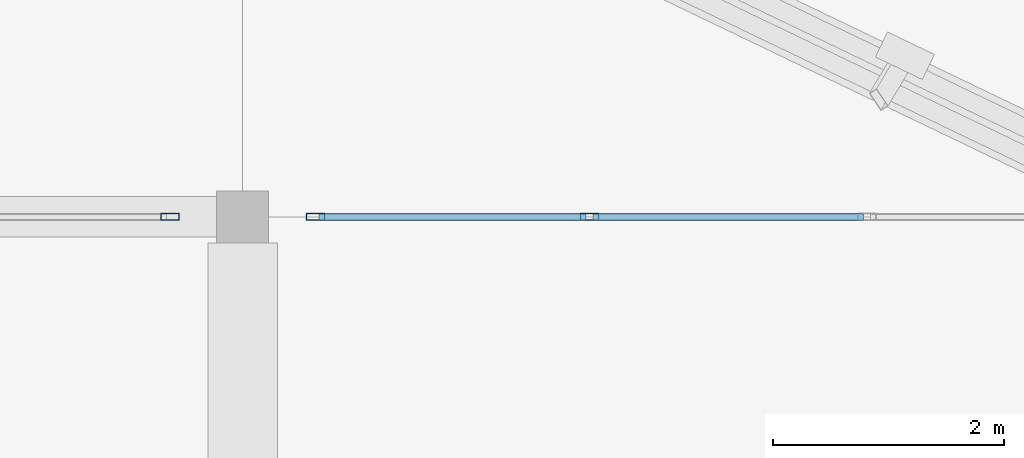
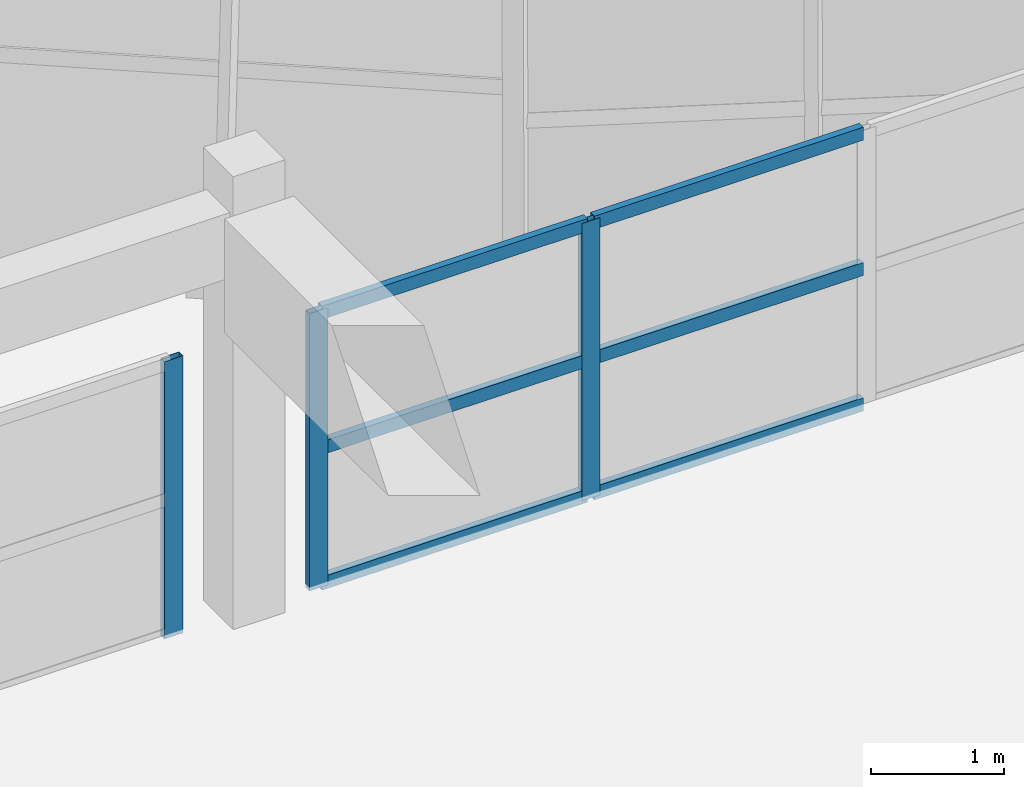
# One storey, part 9 of 40: 9 members, 2 elements without a shape of their own.
"""IFC4 building model written with IfcOpenShell, lengths in metres."""

from ifc_helpers import new_model, si_unit, direction, frame, origin, origin_2d, place, context, subcontext, project, spatial, hollow_rectangle, extrude, material, material_profile, profile_set, type_object, element, aggregate, save


model = new_model("IFC4")

# Units and contexts
model_context = context("Model", 3, precision=1e-05, world=origin(), true_north=direction((0.0, 1.0)))
body_context = subcontext(model_context, "Body", "Model", "MODEL_VIEW")
ifc_project = project(units=[si_unit("LENGTHUNIT", "METRE"), si_unit("AREAUNIT", "SQUARE_METRE"), si_unit("VOLUMEUNIT", "CUBIC_METRE"), si_unit("PLANEANGLEUNIT", "RADIAN"), si_unit("MASSUNIT", "GRAM", prefix="KILO")], contexts=[model_context])

# Site, building, storey
site_placement = place(None, origin())
site = spatial("IfcSite", under=ifc_project, at=site_placement, CompositionType="ELEMENT")
building_placement = place(site_placement, origin())
building = spatial("IfcBuilding", under=site, at=building_placement, Name="Korsvaeld Concert Hall", CompositionType="ELEMENT")
storey_placement = place(building_placement, frame((0.0, 0.0, 13.199951171875)))
storey = spatial("IfcBuildingStorey", under=building, at=storey_placement, Name="L03", CompositionType="ELEMENT", Elevation=13.199951171875)

# Curtain wall, member
ifc_material_1 = material(Name="Anodised bronze and ceramic-fritted safety glass", Category="glass")
curtain_wall_type_1 = type_object("IfcCurtainWallType", Name="CW-TYPE-13", PredefinedType="USERDEFINED", material=ifc_material_1)
curtain_wall_1_placement = place(storey_placement, origin())
curtain_wall_1 = element("IfcCurtainWall", 1, at=curtain_wall_1_placement, inside=storey, type_object=curtain_wall_type_1, Name="Glazed foyer acoustic screen L03-37", ObjectType="CURTAIN WALL", PredefinedType="USERDEFINED")
ifc_material_2 = material(Name="Anodised architectural bronze aluminium", Category="aluminium")
ifc_material_profile_1 = material_profile(ifc_material_2, hollow_rectangle(XDim=0.06005859375, YDim=0.159912109375, WallThickness=0.00390625, at=origin_2d()), Name="CWM 160x60x4")
ifc_profile_set_1 = profile_set([ifc_material_profile_1], Name="Anodised architectural bronze aluminium")
member_type_1 = type_object("IfcMemberType", Name="CWM-ALUM-160x60", PredefinedType="MULLION", material=ifc_profile_set_1)
member_1_placement = place(storey_placement, frame((66.570068359375, 43.199951171875, 0.0), z_axis=(0.0, 0.0, 1.0), x_axis=(0.0, 1.0, 0.0)))
member_1 = element("IfcMember", 2, at=member_1_placement, type_object=member_type_1, Name="CW-13 mullion 4", PredefinedType="MULLION", context=body_context, shape_type="SweptSolid", body=[
    extrude(hollow_rectangle(XDim=0.06005859375, YDim=0.159912109375, WallThickness=0.00390625, at=origin_2d()), origin(), (0.0, 0.0, 1.0), 2.550048828125),
])
aggregate(curtain_wall_1, [member_1])

# Curtain wall, members
curtain_wall_type_2 = type_object("IfcCurtainWallType", Name="CW-TYPE-14", PredefinedType="USERDEFINED", material=ifc_material_1)
curtain_wall_2_placement = place(storey_placement, origin())
curtain_wall_2 = element("IfcCurtainWall", 3, at=curtain_wall_2_placement, inside=storey, type_object=curtain_wall_type_2, Name="Glazed foyer acoustic screen L03-38", ObjectType="CURTAIN WALL", PredefinedType="USERDEFINED")
member_2_placement = place(storey_placement, frame((67.830078125, 43.199951171875, 0.0), z_axis=(0.0, 0.0, 1.0), x_axis=(0.0, 1.0, 0.0)))
member_2 = element("IfcMember", 4, at=member_2_placement, type_object=member_type_1, Name="CW-14 mullion 1", PredefinedType="MULLION", context=body_context, shape_type="SweptSolid", body=[
    extrude(hollow_rectangle(XDim=0.06005859375, YDim=0.159912109375, WallThickness=0.00390625, at=origin_2d()), origin(), (0.0, 0.0, 1.0), 2.550048828125),
])
member_3_placement = place(storey_placement, frame((70.199951171875, 43.199951171875, 0.0), z_axis=(0.0, 0.0, 1.0), x_axis=(0.0, 1.0, 0.0)))
member_3 = element("IfcMember", 5, at=member_3_placement, type_object=member_type_1, Name="CW-14 mullion 2", PredefinedType="MULLION", context=body_context, shape_type="SweptSolid", body=[
    extrude(hollow_rectangle(XDim=0.06005859375, YDim=0.159912109375, WallThickness=0.00390625, at=origin_2d()), origin(), (0.0, 0.0, 1.0), 2.550048828125),
])
ifc_material_profile_2 = material_profile(ifc_material_2, hollow_rectangle(XDim=0.06005859375, YDim=0.1201171875, WallThickness=0.00390625, at=origin_2d()), Name="CWT 120x60x4")
ifc_profile_set_2 = profile_set([ifc_material_profile_2], Name="Anodised architectural bronze aluminium")
member_type_2 = type_object("IfcMemberType", Name="CWT-ALUM-120x60", PredefinedType="USERDEFINED", material=ifc_profile_set_2)
member_4_placement = place(storey_placement, frame((67.860107421875, 43.199951171875, 0.030029296875), z_axis=(1.0, 0.0, 0.0), x_axis=(0.0, 1.0, 0.0)))
member_4 = element("IfcMember", 6, at=member_4_placement, type_object=member_type_2, Name="CW-14 transom 1.1", ObjectType="TRANSOM", PredefinedType="USERDEFINED", context=body_context, shape_type="SweptSolid", body=[
    extrude(hollow_rectangle(XDim=0.06005859375, YDim=0.1201171875, WallThickness=0.00390625, at=origin_2d()), origin(), (0.0, 0.0, 1.0), 2.309814453125),
])
member_5_placement = place(storey_placement, frame((67.860107421875, 43.199951171875, 1.275146484375), z_axis=(1.0, 0.0, 0.0), x_axis=(0.0, 1.0, 0.0)))
member_5 = element("IfcMember", 7, at=member_5_placement, type_object=member_type_2, Name="CW-14 transom 1.2", ObjectType="TRANSOM", PredefinedType="USERDEFINED", context=body_context, shape_type="SweptSolid", body=[
    extrude(hollow_rectangle(XDim=0.06005859375, YDim=0.1201171875, WallThickness=0.00390625, at=origin_2d()), origin(), (0.0, 0.0, 1.0), 2.309814453125),
])
member_6_placement = place(storey_placement, frame((67.860107421875, 43.199951171875, 2.52001953125), z_axis=(1.0, 0.0, 0.0), x_axis=(0.0, 1.0, 0.0)))
member_6 = element("IfcMember", 8, at=member_6_placement, type_object=member_type_2, Name="CW-14 transom 1.3", ObjectType="TRANSOM", PredefinedType="USERDEFINED", context=body_context, shape_type="SweptSolid", body=[
    extrude(hollow_rectangle(XDim=0.06005859375, YDim=0.1201171875, WallThickness=0.00390625, at=origin_2d()), origin(), (0.0, 0.0, 1.0), 2.309814453125),
])
member_7_placement = place(storey_placement, frame((70.22998046875, 43.199951171875, 0.030029296875), z_axis=(1.0, 0.0, 0.0), x_axis=(0.0, 1.0, 0.0)))
member_7 = element("IfcMember", 9, at=member_7_placement, type_object=member_type_2, Name="CW-14 transom 2.1", ObjectType="TRANSOM", PredefinedType="USERDEFINED", context=body_context, shape_type="SweptSolid", body=[
    extrude(hollow_rectangle(XDim=0.06005859375, YDim=0.1201171875, WallThickness=0.00390625, at=origin_2d()), origin(), (0.0, 0.0, 1.0), 2.340087890625),
])
member_8_placement = place(storey_placement, frame((70.22998046875, 43.199951171875, 1.275146484375), z_axis=(1.0, 0.0, 0.0), x_axis=(0.0, 1.0, 0.0)))
member_8 = element("IfcMember", 10, at=member_8_placement, type_object=member_type_2, Name="CW-14 transom 2.2", ObjectType="TRANSOM", PredefinedType="USERDEFINED", context=body_context, shape_type="SweptSolid", body=[
    extrude(hollow_rectangle(XDim=0.06005859375, YDim=0.1201171875, WallThickness=0.00390625, at=origin_2d()), origin(), (0.0, 0.0, 1.0), 2.340087890625),
])
member_9_placement = place(storey_placement, frame((70.22998046875, 43.199951171875, 2.52001953125), z_axis=(1.0, 0.0, 0.0), x_axis=(0.0, 1.0, 0.0)))
member_9 = element("IfcMember", 11, at=member_9_placement, type_object=member_type_2, Name="CW-14 transom 2.3", ObjectType="TRANSOM", PredefinedType="USERDEFINED", context=body_context, shape_type="SweptSolid", body=[
    extrude(hollow_rectangle(XDim=0.06005859375, YDim=0.1201171875, WallThickness=0.00390625, at=origin_2d()), origin(), (0.0, 0.0, 1.0), 2.340087890625),
])
aggregate(curtain_wall_2, [member_2, member_3, member_4, member_5, member_6, member_7, member_8, member_9])

save(model, "model.ifc")
